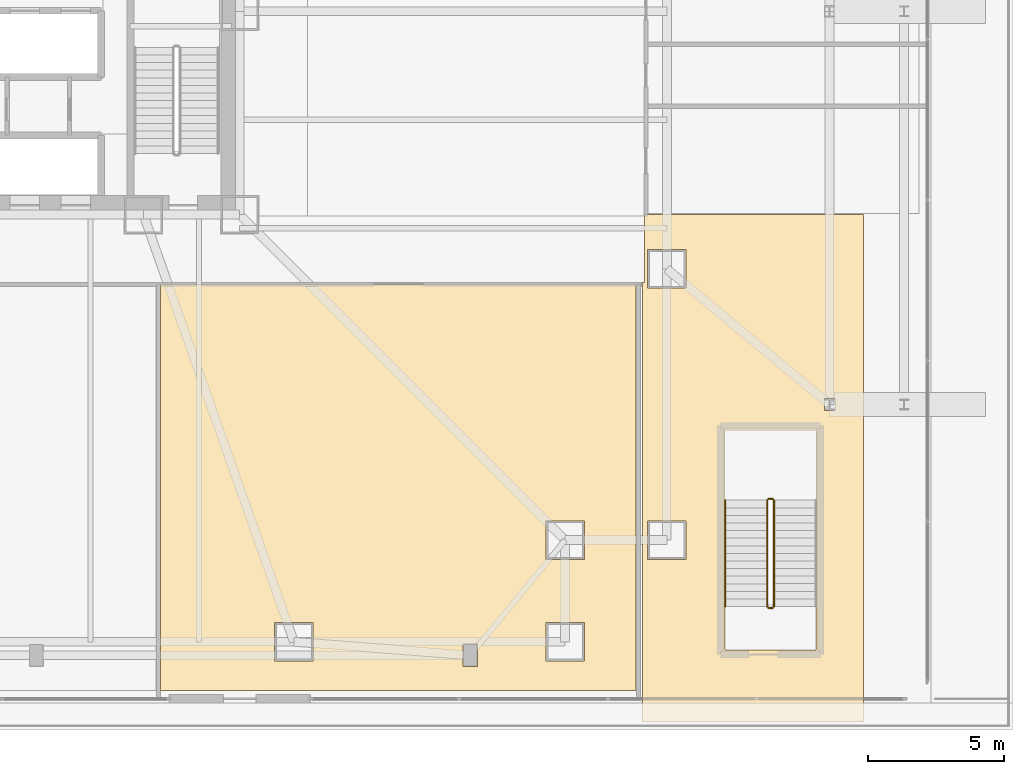
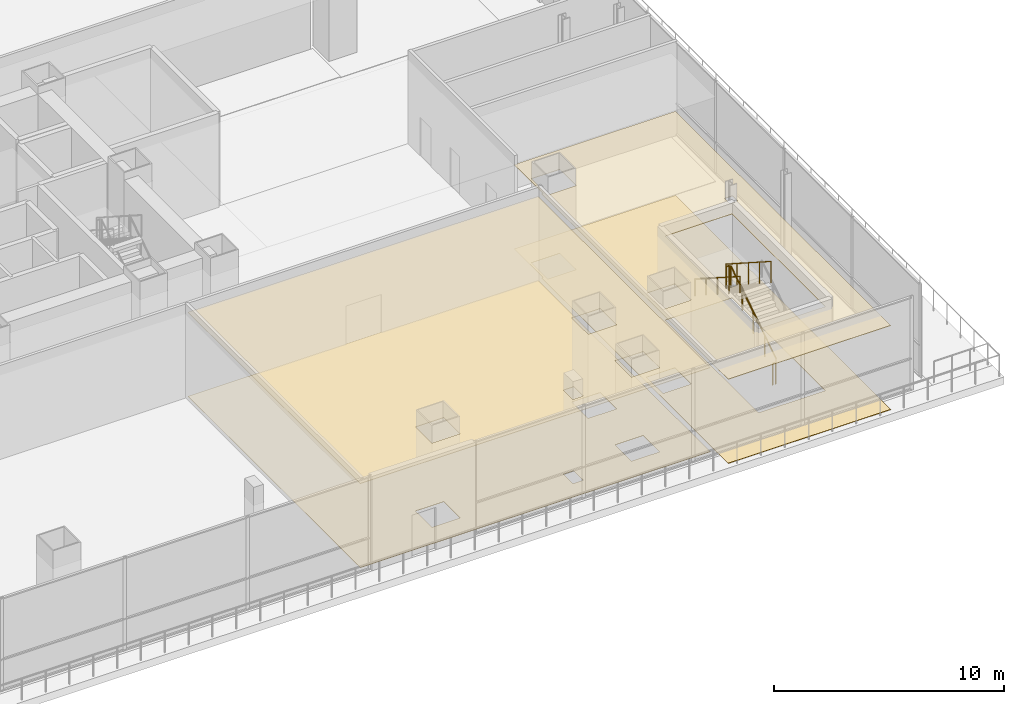
# One storey, part 29 of 36: 5 railings, 4 coverings.
"""IFC4 building model written with IfcOpenShell, lengths in metres."""

from ifc_helpers import new_model, si_unit, direction, frame, origin, origin_2d, place, context, subcontext, project, spatial, polyline, circle, outline, extrude, material, layer, layer_set, type_object, element, save


model = new_model("IFC4")

# Units and contexts
model_context = context("Model", 3, precision=1e-05, world=origin(), true_north=direction((0.0, 1.0)))
body_context = subcontext(model_context, "Body", "Model", "MODEL_VIEW")
ifc_project = project(units=[si_unit("LENGTHUNIT", "METRE"), si_unit("AREAUNIT", "SQUARE_METRE"), si_unit("VOLUMEUNIT", "CUBIC_METRE"), si_unit("PLANEANGLEUNIT", "RADIAN"), si_unit("MASSUNIT", "GRAM", prefix="KILO")], contexts=[model_context])

# Site, building, storey
site_placement = place(None, origin())
site = spatial("IfcSite", under=ifc_project, at=site_placement, CompositionType="ELEMENT")
building_placement = place(site_placement, origin())
building = spatial("IfcBuilding", under=site, at=building_placement, Name="Trevonay Congress Spire", CompositionType="ELEMENT")
storey_placement = place(building_placement, frame((0.0, 0.0, 16.199951171875)))
storey = spatial("IfcBuildingStorey", under=building, at=storey_placement, Name="L03", CompositionType="ELEMENT", Elevation=16.199951171875)

# Coverings
ifc_material_1 = material(Name="Acoustic Mineral Fibre Board", Category="gypsum")
ifc_layer_1 = layer(ifc_material_1, 0.02490234375, Name="Acoustic Mineral Fibre Board")
ifc_layer_set_1 = layer_set([ifc_layer_1], Name="Acoustic Mineral Fibre Board")
covering_type_1 = type_object("IfcCoveringType", Name="COV-CEIL-ACOUSTIC", PredefinedType="CEILING", material=ifc_layer_set_1)
covering_1_placement = place(storey_placement, frame((0.0, 0.0, 4.449951171875)))
element("IfcCovering", 1, at=covering_1_placement, inside=storey, type_object=covering_type_1, Name="L03 Ballroom Banquet Pre-Function Salon acoustic suspended ceiling", PredefinedType="CEILING", context=body_context, shape_type="SweptSolid", body=[
    extrude(outline(polyline([(4.580078125, -10.080078125), (22.1201171875, -10.080078125), (22.1201171875, -25.050048828125), (4.580078125, -25.050048828125), (4.580078125, -10.080078125)]), holes=[polyline([(15.739990234375, -23.340087890625), (15.739990234375, -24.159912109375), (16.260009765625, -24.159912109375), (16.260009765625, -23.340087890625), (15.739990234375, -23.340087890625)]), polyline([(8.7900390625, -22.5400390625), (8.7900390625, -23.9599609375), (10.2099609375, -23.9599609375), (10.2099609375, -22.5400390625), (8.7900390625, -22.5400390625)]), polyline([(18.7900390625, -22.5400390625), (18.7900390625, -23.9599609375), (20.2099609375, -23.9599609375), (20.2099609375, -22.5400390625), (18.7900390625, -22.5400390625)]), polyline([(18.7900390625, -18.7900390625), (18.7900390625, -20.2099609375), (20.2099609375, -20.2099609375), (20.2099609375, -18.7900390625), (18.7900390625, -18.7900390625)])]), origin(), (0.0, 0.0, 1.0), 0.025146484375),
])
covering_2_placement = place(storey_placement, frame((0.0, 0.0, 4.449951171875)))
element("IfcCovering", 2, at=covering_2_placement, inside=storey, type_object=covering_type_1, Name="L03 L03 Stair Lobby SE acoustic suspended ceiling", PredefinedType="CEILING", context=body_context, shape_type="SweptSolid", body=[
    extrude(outline(polyline([(22.35009765625, -26.199951171875), (22.35009765625, -10.0), (22.419921875, -10.0), (22.419921875, -7.550048828125), (22.419921875, -7.5), (30.5, -7.5), (30.5, -26.199951171875), (22.35009765625, -26.199951171875)]), holes=[polyline([(23.9599609375, -20.2099609375), (23.9599609375, -18.7900390625), (22.5400390625, -18.7900390625), (22.5400390625, -20.2099609375), (23.9599609375, -20.2099609375)]), polyline([(29.055908203125, -14.722412109375), (29.444091796875, -14.722412109375), (29.444091796875, -14.277587890625), (29.055908203125, -14.277587890625), (29.055908203125, -14.722412109375)]), polyline([(22.5400390625, -10.2099609375), (23.9599609375, -10.2099609375), (23.9599609375, -8.7900390625), (22.5400390625, -8.7900390625), (22.5400390625, -10.2099609375)]), polyline([(28.75, -15.449951171875), (25.39990234375, -15.449951171875), (25.39990234375, -23.550048828125), (28.75, -23.550048828125), (28.75, -15.449951171875)])]), origin(), (0.0, 0.0, 1.0), 0.025146484375),
])
ifc_material_2 = material(Name="Polished Granite Floor Tile", Category="masonry")
ifc_layer_2 = layer(ifc_material_2, 0.02001953125, Name="Polished Granite Floor Tile")
ifc_layer_set_2 = layer_set([ifc_layer_2], Name="Polished Granite Floor Tile")
covering_type_2 = type_object("IfcCoveringType", Name="COV-FLOOR-STONE", PredefinedType="FLOORING", material=ifc_layer_set_2)
covering_3_placement = place(storey_placement, origin())
element("IfcCovering", 3, at=covering_3_placement, inside=storey, type_object=covering_type_2, Name="L03 L03 Stair Lobby SE floor finish", PredefinedType="FLOORING", context=body_context, shape_type="SweptSolid", body=[
    extrude(outline(polyline([(22.35009765625, -26.199951171875), (22.35009765625, -10.0), (22.419921875, -10.0), (22.419921875, -7.550048828125), (22.419921875, -7.5), (30.5, -7.5), (30.5, -26.199951171875), (22.35009765625, -26.199951171875)]), holes=[polyline([(23.9599609375, -20.2099609375), (23.9599609375, -18.7900390625), (22.5400390625, -18.7900390625), (22.5400390625, -20.2099609375), (23.9599609375, -20.2099609375)]), polyline([(29.055908203125, -14.722412109375), (29.444091796875, -14.722412109375), (29.444091796875, -14.277587890625), (29.055908203125, -14.277587890625), (29.055908203125, -14.722412109375)]), polyline([(22.5400390625, -10.2099609375), (23.9599609375, -10.2099609375), (23.9599609375, -8.7900390625), (22.5400390625, -8.7900390625), (22.5400390625, -10.2099609375)]), polyline([(28.75, -15.449951171875), (25.39990234375, -15.449951171875), (25.39990234375, -23.550048828125), (28.75, -23.550048828125), (28.75, -15.449951171875)])]), origin(), (0.0, 0.0, 1.0), 0.02001953125),
])
ifc_material_3 = material(Name="Engineered Oak Flooring", Category="wood")
ifc_layer_3 = layer(ifc_material_3, 0.01806640625, Name="Engineered Oak Flooring")
ifc_layer_set_3 = layer_set([ifc_layer_3], Name="Engineered Oak Flooring")
covering_type_3 = type_object("IfcCoveringType", Name="COV-FLOOR-TIMBER", PredefinedType="FLOORING", material=ifc_layer_set_3)
covering_4_placement = place(storey_placement, origin())
element("IfcCovering", 4, at=covering_4_placement, inside=storey, type_object=covering_type_3, Name="L03 Ballroom Banquet Pre-Function Salon floor finish", PredefinedType="FLOORING", context=body_context, shape_type="SweptSolid", body=[
    extrude(outline(polyline([(4.580078125, -10.080078125), (22.1201171875, -10.080078125), (22.1201171875, -25.050048828125), (4.580078125, -25.050048828125), (4.580078125, -10.080078125)]), holes=[polyline([(15.739990234375, -23.340087890625), (15.739990234375, -24.159912109375), (16.260009765625, -24.159912109375), (16.260009765625, -23.340087890625), (15.739990234375, -23.340087890625)]), polyline([(8.7900390625, -22.5400390625), (8.7900390625, -23.9599609375), (10.2099609375, -23.9599609375), (10.2099609375, -22.5400390625), (8.7900390625, -22.5400390625)]), polyline([(18.7900390625, -22.5400390625), (18.7900390625, -23.9599609375), (20.2099609375, -23.9599609375), (20.2099609375, -22.5400390625), (18.7900390625, -22.5400390625)]), polyline([(18.7900390625, -18.7900390625), (18.7900390625, -20.2099609375), (20.2099609375, -20.2099609375), (20.2099609375, -18.7900390625), (18.7900390625, -18.7900390625)])]), origin(), (0.0, 0.0, 1.0), 0.01806640625),
])

# Railings
ifc_material_4 = material(Name="Pale Anodised Aluminium EN AW-6063-T6", Category="aluminium")
railing_type_1 = type_object("IfcRailingType", Name="RAL-STAIR-GUARD-110", PredefinedType="GUARDRAIL", material=ifc_material_4)
railing_1_placement = place(storey_placement, frame((27.199951171875, -21.949951171875, 0.179931640625)))
element("IfcRailing", 5, at=railing_1_placement, inside=storey, type_object=railing_type_1, Name="L03 ST-4 stair guard 1", PredefinedType="GUARDRAIL", context=body_context, shape_type="SweptSolid", body=[
    extrude(circle(Radius=0.02392578125, at=origin_2d()), frame((0.0, 0.0, 1.1259765625), z_axis=(0.0, 0.841171666519, 0.540768182723), x_axis=(-1.0, 0.0, 0.0)), (0.0, 0.0, 1.0), 4.66015625),
    extrude(circle(Radius=0.02099609375, at=origin_2d()), origin(), (0.0, 0.0, 1.0), 1.101806640625),
    extrude(circle(Radius=0.02099609375, at=origin_2d()), frame((0.0, 0.97998046875, 0.6298828125)), (0.0, 0.0, 1.0), 1.101806640625),
    extrude(circle(Radius=0.02099609375, at=origin_2d()), frame((0.0, 1.9599609375, 1.260009765625)), (0.0, 0.0, 1.0), 1.101806640625),
    extrude(circle(Radius=0.02099609375, at=origin_2d()), frame((0.0, 2.93994140625, 1.89013671875)), (0.0, 0.0, 1.0), 1.101806640625),
    extrude(circle(Radius=0.02099609375, at=origin_2d()), frame((0.0, 3.919921875, 2.52001953125)), (0.0, 0.0, 1.0), 1.101806640625),
])
railing_2_placement = place(storey_placement, frame((27.14990234375, -17.97998046875, 2.699951171875)))
element("IfcRailing", 6, at=railing_2_placement, inside=storey, type_object=railing_type_1, Name="L03 ST-4 stair guard 2", PredefinedType="GUARDRAIL", context=body_context, shape_type="SweptSolid", body=[
    extrude(circle(Radius=0.02392578125, at=origin_2d()), frame((0.0, 0.0, 1.1259765625), z_axis=(-1.0, 0.0, 0.0), x_axis=(0.0, -1.0, 0.0)), (0.0, 0.0, 1.0), 0.14990234375),
    extrude(circle(Radius=0.02099609375, at=origin_2d()), origin(), (0.0, 0.0, 1.0), 1.101806640625),
    extrude(circle(Radius=0.02099609375, at=origin_2d()), frame((-0.14990234375, 0.0, 0.0)), (0.0, 0.0, 1.0), 1.101806640625),
])
railing_3_placement = place(storey_placement, frame((26.949951171875, -18.030029296875, 2.880126953125)))
element("IfcRailing", 7, at=railing_3_placement, inside=storey, type_object=railing_type_1, Name="L03 ST-4 stair guard 3", PredefinedType="GUARDRAIL", context=body_context, shape_type="SweptSolid", body=[
    extrude(circle(Radius=0.02392578125, at=origin_2d()), frame((0.0, 0.0, 1.1259765625), z_axis=(0.0, -0.841171666519, 0.540768182723), x_axis=(1.0, 0.0, 0.0)), (0.0, 0.0, 1.0), 4.66015625),
    extrude(circle(Radius=0.02099609375, at=origin_2d()), origin(), (0.0, 0.0, 1.0), 1.101806640625),
    extrude(circle(Radius=0.02099609375, at=origin_2d()), frame((0.0, -0.97998046875, 0.6298828125)), (0.0, 0.0, 1.0), 1.101806640625),
    extrude(circle(Radius=0.02099609375, at=origin_2d()), frame((0.0, -1.9599609375, 1.260009765625)), (0.0, 0.0, 1.0), 1.101806640625),
    extrude(circle(Radius=0.02099609375, at=origin_2d()), frame((0.0, -2.93994140625, 1.89013671875)), (0.0, 0.0, 1.0), 1.101806640625),
    extrude(circle(Radius=0.02099609375, at=origin_2d()), frame((0.0, -3.919921875, 2.52001953125)), (0.0, 0.0, 1.0), 1.101806640625),
])
railing_4_placement = place(storey_placement, frame((27.14990234375, -22.0, 0.0)))
element("IfcRailing", 8, at=railing_4_placement, inside=storey, type_object=railing_type_1, Name="L03 ST-4 stair guard 4", PredefinedType="GUARDRAIL", context=body_context, shape_type="SweptSolid", body=[
    extrude(circle(Radius=0.02392578125, at=origin_2d()), frame((0.0, 0.0, 1.1259765625), z_axis=(-1.0, 0.0, 0.0), x_axis=(0.0, -1.0, 0.0)), (0.0, 0.0, 1.0), 0.14990234375),
    extrude(circle(Radius=0.02099609375, at=origin_2d()), origin(), (0.0, 0.0, 1.0), 1.101806640625),
    extrude(circle(Radius=0.02099609375, at=origin_2d()), frame((-0.14990234375, 0.0, 0.0)), (0.0, 0.0, 1.0), 1.101806640625),
])
railing_type_2 = type_object("IfcRailingType", Name="RAL-STAIR-HANDRAIL", PredefinedType="HANDRAIL", material=ifc_material_4)
railing_5_placement = place(storey_placement, frame((25.39990234375, -18.030029296875, 2.880126953125)))
element("IfcRailing", 9, at=railing_5_placement, inside=storey, type_object=railing_type_2, Name="L03 ST-4 stair handrail 2", PredefinedType="HANDRAIL", context=body_context, shape_type="SweptSolid", body=[
    extrude(circle(Radius=0.02392578125, at=origin_2d()), frame((0.0, 0.0, 0.8759765625), z_axis=(0.0, -0.841171666519, 0.540768182723), x_axis=(1.0, 0.0, 0.0)), (0.0, 0.0, 1.0), 4.66015625),
    extrude(circle(Radius=0.02099609375, at=origin_2d()), origin(), (0.0, 0.0, 1.0), 0.851806640625),
    extrude(circle(Radius=0.02099609375, at=origin_2d()), frame((0.0, -0.97998046875, 0.6298828125)), (0.0, 0.0, 1.0), 0.851806640625),
    extrude(circle(Radius=0.02099609375, at=origin_2d()), frame((0.0, -1.9599609375, 1.260009765625)), (0.0, 0.0, 1.0), 0.851806640625),
    extrude(circle(Radius=0.02099609375, at=origin_2d()), frame((0.0, -2.93994140625, 1.89013671875)), (0.0, 0.0, 1.0), 0.851806640625),
    extrude(circle(Radius=0.02099609375, at=origin_2d()), frame((0.0, -3.919921875, 2.52001953125)), (0.0, 0.0, 1.0), 0.851806640625),
])

save(model, "model.ifc")
